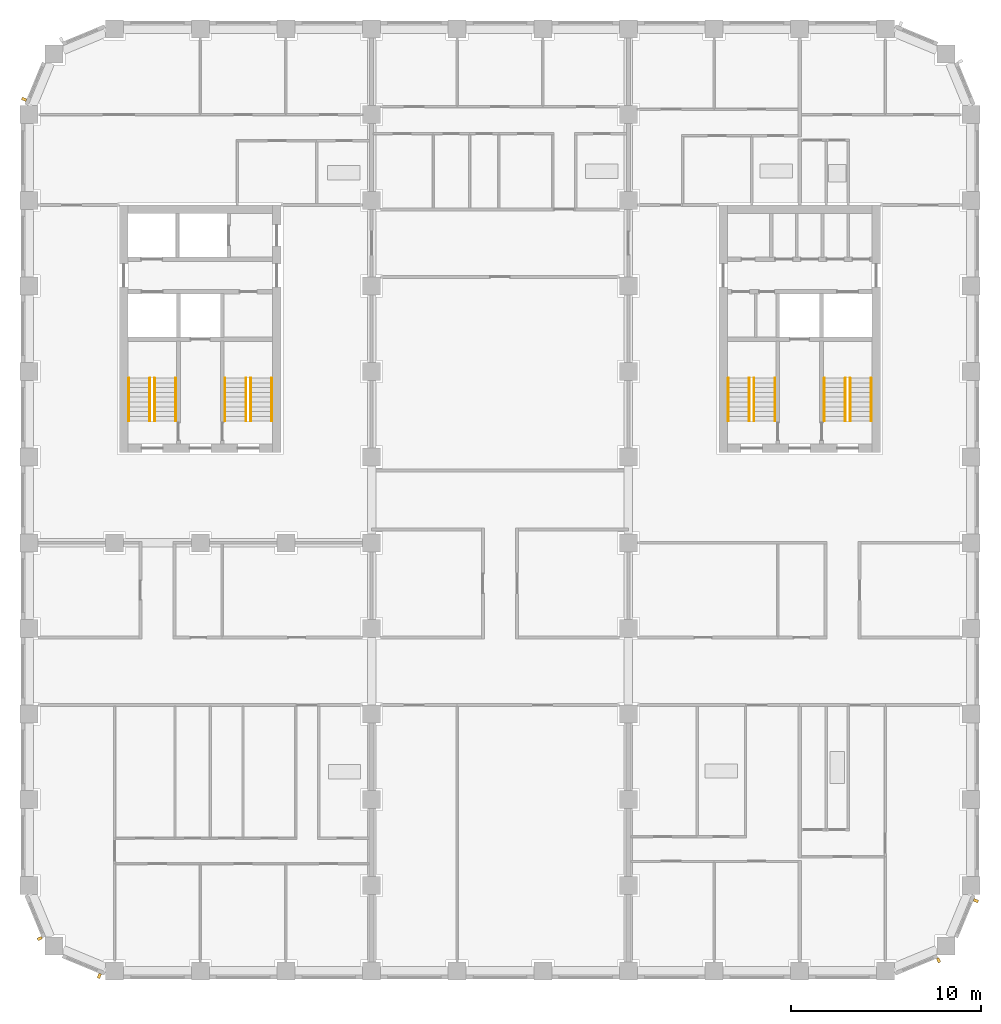
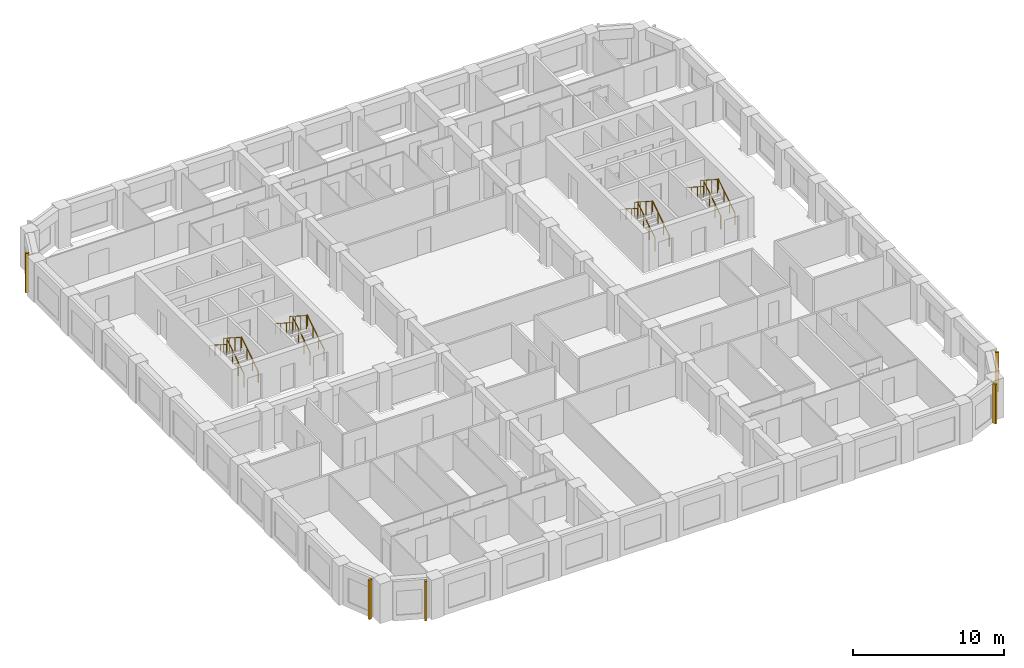
# One storey, part 11 of 13: 16 railings, 5 shading devices.
"""IFC4 building model written with IfcOpenShell, lengths in metres."""

import ifcopenshell
import ifcopenshell.guid

model = None  # the IFC model being written
_history = None  # IfcOwnerHistory: only IFC2X3 demands one
_inside = {}  # id of a spatial element -> (the spatial element, [elements in it])
_under = {}  # id of a project, library or spatial element -> (it, [spatial elements below it])
_declared = {}  # id of a project -> (the project, [libraries it declares])
_typed = {}  # id of a type object -> (the type object, [elements of that type])
_made_of = {}  # id of a material, layer set ... -> (it, [elements and type objects made of it])


def new_model(schema):
    """Start an empty IFC model of exactly this schema.

    Asked for "IFC4X3", IfcOpenShell would pick the latest addendum, in which some entities
    have other attributes; the version numbers below select the first issue.
    IFC2X3 requires an IfcOwnerHistory on every rooted entity: one is made here for all.
    """
    global model, _history
    if schema == "IFC4X3":
        model = ifcopenshell.file(schema_version=(4, 3, 0, 0))
    else:
        model = ifcopenshell.file(schema=schema)
    _inside.clear()
    _under.clear()
    _declared.clear()
    _typed.clear()
    _made_of.clear()
    _history = None
    if model.schema == "IFC2X3":
        org = make("IfcOrganization", Name="unknown")
        user = make(
            "IfcPersonAndOrganization",
            ThePerson=make("IfcPerson", FamilyName="unknown"),
            TheOrganization=org,
        )
        app = make(
            "IfcApplication",
            ApplicationDeveloper=org,
            Version="unknown",
            ApplicationFullName="unknown",
            ApplicationIdentifier="unknown",
        )
        _history = make(
            "IfcOwnerHistory",
            OwningUser=user,
            OwningApplication=app,
            ChangeAction="ADDED",
            CreationDate=0,
        )
    return model


def make(cls, **values):
    """One entity of the class cls with the attributes given. An attribute that is None is left unset."""
    return model.create_entity(
        cls, **{name: value for name, value in values.items() if value is not None}
    )


def rooted(cls, **values):
    """An entity with a GlobalId (a new one), such as an element, a storey or a relation."""
    return make(cls, GlobalId=ifcopenshell.guid.new(), OwnerHistory=_history, **values)


def si_unit(unit_type, name, prefix=None):
    """IfcSIUnit, for example si_unit("LENGTHUNIT", "METRE", prefix="MILLI")."""
    return make("IfcSIUnit", UnitType=unit_type, Prefix=prefix, Name=name)


def assignment(units):
    """IfcUnitAssignment: the units of a project."""
    return None if units is None else make("IfcUnitAssignment", Units=units)


def point(xyz):
    """IfcCartesianPoint."""
    return None if xyz is None else make("IfcCartesianPoint", Coordinates=xyz)


def direction(xyz):
    """IfcDirection."""
    return None if xyz is None else make("IfcDirection", DirectionRatios=xyz)


def frame(location, z_axis=None, x_axis=None):
    """IfcAxis2Placement3D, a coordinate frame: its origin and axes. An axis left out is left unset."""
    return make(
        "IfcAxis2Placement3D",
        Location=point(location),
        Axis=direction(z_axis),
        RefDirection=direction(x_axis),
    )


def frame_2d(location, x_axis=None):
    """IfcAxis2Placement2D, a coordinate frame in the plane: its origin and x axis."""
    return make(
        "IfcAxis2Placement2D", Location=point(location), RefDirection=direction(x_axis)
    )


def origin():
    """The frame at (0, 0, 0) with its axes left unset."""
    return frame((0.0, 0.0, 0.0))


def origin_2d():
    """The frame at (0, 0) in the plane with its x axis left unset."""
    return frame_2d((0.0, 0.0))


def place(relative_to, where):
    """IfcLocalPlacement: puts the frame where relative to a parent placement (None: the world)."""
    return make(
        "IfcLocalPlacement", PlacementRelTo=relative_to, RelativePlacement=where
    )


def context(
    kind, dimensions, precision=None, world=None, true_north=None, identifier=None
):
    """IfcGeometricRepresentationContext, for example the 3D "Model" context."""
    return make(
        "IfcGeometricRepresentationContext",
        ContextIdentifier=identifier,
        ContextType=kind,
        CoordinateSpaceDimension=dimensions,
        Precision=precision,
        WorldCoordinateSystem=world,
        TrueNorth=true_north,
    )


def subcontext(parent, identifier, kind, view, scale=None):
    """IfcGeometricRepresentationSubContext, for example "Body" below "Model"."""
    return make(
        "IfcGeometricRepresentationSubContext",
        ContextIdentifier=identifier,
        ContextType=kind,
        ParentContext=parent,
        TargetScale=scale,
        TargetView=view,
    )


def project(units=None, contexts=None):
    """IfcProject with its units and contexts."""
    return rooted(
        "IfcProject",
        Name="project",
        RepresentationContexts=contexts,
        UnitsInContext=assignment(units),
    )


def spatial(cls, under=None, at=None, **own):
    """A site, building, storey or space (cls), placed at a placement, below another one or the project."""
    s = rooted(cls, ObjectPlacement=at, **own)
    if under is not None:
        _under.setdefault(under.id(), (under, []))[1].append(s)
    return s


def profile(cls, at=None, kind="AREA", **sizes):
    """A parametric profile (cls). Its sizes go by their IFC names, for example OverallWidth=200.0."""
    return make(cls, ProfileType=kind, Position=at, **sizes)


def rectangle(**sizes):
    """IfcRectangleProfileDef."""
    return profile("IfcRectangleProfileDef", **sizes)


def circle(**sizes):
    """IfcCircleProfileDef."""
    return profile("IfcCircleProfileDef", **sizes)


def extrude(swept, where, along, depth):
    """IfcExtrudedAreaSolid: the profile swept, set in the frame where, extruded along a direction by depth."""
    return make(
        "IfcExtrudedAreaSolid",
        SweptArea=swept,
        Position=where,
        ExtrudedDirection=direction(along),
        Depth=depth,
    )


def shape(context_of_items, identifier, shape_type, items):
    """IfcShapeRepresentation: the items that make up one representation, for example the "Body"."""
    return make(
        "IfcShapeRepresentation",
        ContextOfItems=context_of_items,
        RepresentationIdentifier=identifier,
        RepresentationType=shape_type,
        Items=items,
    )


def material(Name=None, Category=None):
    """IfcMaterial."""
    return make("IfcMaterial", Name=Name, Category=Category)


def made_of(thing, what):
    """Note that an element or type object is made of a material, layer set ...; save() writes the relation."""
    if what is not None:
        _made_of.setdefault(what.id(), (what, []))[1].append(thing)
    return thing


def type_object(cls, material=None, **own):
    """A type object (cls), such as IfcWallType, which elements share."""
    return made_of(rooted(cls, **own), material)


def element(
    cls,
    number,
    at=None,
    inside=None,
    cuts=None,
    type_object=None,
    material=None,
    context=None,
    identifier="Body",
    shape_type=None,
    held_by="IfcProductDefinitionShape",
    body=None,
    shapes=None,
    **own,
):
    """One element of the class cls, such as IfcWall. Its Tag is "e" and its number.

    at: its placement. inside: the storey or other place that contains it. cuts: it is an
    opening in that element (IfcRelVoidsElement). A single representation is given by context,
    identifier, shape_type and body (its items); several are given by shapes. held_by: the class
    of the entity that holds the representations. save() writes the other relations.
    """
    e = rooted(cls, Tag="e%d" % number, ObjectPlacement=at, **own)
    if body is not None:
        shapes = [shape(context, identifier, shape_type, body)]
    if shapes is not None:
        e.Representation = make(held_by, Representations=shapes)
    if inside is not None:
        _inside.setdefault(inside.id(), (inside, []))[1].append(e)
    if cuts is not None:
        rooted(
            "IfcRelVoidsElement", RelatingBuildingElement=cuts, RelatedOpeningElement=e
        )
    if type_object is not None:
        _typed.setdefault(type_object.id(), (type_object, []))[1].append(e)
    return made_of(e, material)


def aggregate(whole, parts):
    """IfcRelAggregates: a whole, such as a stair, and the parts it consists of."""
    return rooted("IfcRelAggregates", RelatingObject=whole, RelatedObjects=parts)


def save(model, path):
    """Write the relations noted so far, then the file.

    IfcRelAggregates (storeys below a building ...), IfcRelContainedInSpatialStructure (elements
    in a storey), IfcRelDefinesByType, IfcRelAssociatesMaterial and IfcRelDeclares: one each for
    every whole, place, type object, material and project.
    """
    for whole, parts in _under.values():
        aggregate(whole, parts)
    for where, things in _inside.values():
        rooted(
            "IfcRelContainedInSpatialStructure",
            RelatedElements=things,
            RelatingStructure=where,
        )
    for kind, things in _typed.values():
        rooted("IfcRelDefinesByType", RelatedObjects=things, RelatingType=kind)
    for what, things in _made_of.values():
        rooted("IfcRelAssociatesMaterial", RelatedObjects=things, RelatingMaterial=what)
    for by, libraries in _declared.values():
        rooted("IfcRelDeclares", RelatingContext=by, RelatedDefinitions=libraries)
    model.write(path)


model = new_model("IFC4")

# Units and contexts
model_context = context("Model", 3, precision=1e-05, world=origin(), true_north=direction((0.0, 1.0)))
body_context = subcontext(model_context, "Body", "Model", "MODEL_VIEW")
ifc_project = project(units=[si_unit("LENGTHUNIT", "METRE"), si_unit("AREAUNIT", "SQUARE_METRE"), si_unit("VOLUMEUNIT", "CUBIC_METRE"), si_unit("PLANEANGLEUNIT", "RADIAN"), si_unit("MASSUNIT", "GRAM", prefix="KILO")], contexts=[model_context])

# Site, building, storey
site_placement = place(None, origin())
site = spatial("IfcSite", under=ifc_project, at=site_placement, CompositionType="ELEMENT")
building_placement = place(site_placement, origin())
building = spatial("IfcBuilding", under=site, at=building_placement, Name="Girih Gate Residences", CompositionType="ELEMENT")
storey_placement = place(building_placement, frame((0.0, 0.0, 130.199951171875)))
storey = spatial("IfcBuildingStorey", under=building, at=storey_placement, Name="L36", CompositionType="ELEMENT", Elevation=130.199951171875)

# Shading devices
ifc_material_1 = material(Name="Precast concrete C50/60", Category="concrete")
shading_device_type = type_object("IfcShadingDeviceType", Name="Corner rib 150x250", PredefinedType="USERDEFINED", material=ifc_material_1)
for number, where, z_axis, x_axis, name in (
    (1, (0.562255859375, 1.705322265625, 0.0), (0.0, 0.0, 1.0), (0.382683432365, -0.923879532511, 0.0), "Corner rib SW0000_0045.0"),
    (2, (3.691650390625, -0.260498046875, 0.0), (0.0, 0.0, 1.0), (0.923879532511, -0.382683432365, 0.0), "Corner rib SW0013_0013.0"),
    (3, (47.794677734375, 0.562255859375, 0.0), (0.0, 0.0, 1.0), (0.923879532511, 0.382683432365, 0.0), "Corner rib SE0450_0000.0"),
    (4, (49.760498046875, 3.691650390625, 0.0), (0.0, 0.0, 1.0), (0.382683432365, 0.923879532511, 0.0), "Corner rib SE0482_0013.0"),
    (5, (-0.260498046875, 45.808349609375, 0.0), (0.0, 0.0, 1.0), (-0.382683432365, -0.923879532511, 0.0), "Corner rib NW0013_0482.0"),
):
    element("IfcShadingDevice", number, at=place(storey_placement, frame(where, z_axis=z_axis, x_axis=x_axis)), inside=storey, type_object=shading_device_type, Name=name, ObjectType="FIN", PredefinedType="USERDEFINED", context=body_context, shape_type="SweptSolid", body=[
        extrude(rectangle(XDim=0.14990234375, YDim=0.25, at=origin_2d()), origin(), (0.0, 0.0, 1.0), 3.199951171875),
    ])

# Railings
ifc_material_2 = material(Name="Stainless steel", Category="steel")
railing_type_1 = type_object("IfcRailingType", Name="Stair guard 1100", PredefinedType="GUARDRAIL", material=ifc_material_2)
railing_1_placement = place(storey_placement, frame((6.60009765625, 28.89990234375, 0.16015625)))
element("IfcRailing", 6, at=railing_1_placement, inside=storey, type_object=railing_type_1, Name="L36 ST-W1 stair guard 1", PredefinedType="GUARDRAIL", context=body_context, shape_type="SweptSolid", body=[
    extrude(circle(Radius=0.02392578125, at=origin_2d()), frame((0.0, 0.0, 1.076171875), z_axis=(0.0, 0.842281359387, 0.539038135598), x_axis=(-1.0, 0.0, 0.0)), (0.0, 0.0, 1.0), 2.67138671875),
    extrude(circle(Radius=0.02099609375, at=origin_2d()), origin(), (0.0, 0.0, 1.0), 1.052001953125),
    extrude(circle(Radius=0.02099609375, at=origin_2d()), frame((0.0, 0.75, 0.47998046875)), (0.0, 0.0, 1.0), 1.052001953125),
    extrude(circle(Radius=0.02099609375, at=origin_2d()), frame((0.0, 1.5, 0.9599609375)), (0.0, 0.0, 1.0), 1.052001953125),
    extrude(circle(Radius=0.02099609375, at=origin_2d()), frame((0.0, 2.25, 1.43994140625)), (0.0, 0.0, 1.0), 1.052001953125),
])
railing_2_placement = place(storey_placement, frame((6.35009765625, 31.14990234375, 1.760009765625)))
element("IfcRailing", 7, at=railing_2_placement, inside=storey, type_object=railing_type_1, Name="L36 ST-W1 stair guard 2", PredefinedType="GUARDRAIL", context=body_context, shape_type="SweptSolid", body=[
    extrude(circle(Radius=0.02392578125, at=origin_2d()), frame((0.0, 0.0, 1.076171875), z_axis=(0.0, -0.842281359387, 0.539038135598), x_axis=(1.0, 0.0, 0.0)), (0.0, 0.0, 1.0), 2.67138671875),
    extrude(circle(Radius=0.02099609375, at=origin_2d()), origin(), (0.0, 0.0, 1.0), 1.052001953125),
    extrude(circle(Radius=0.02099609375, at=origin_2d()), frame((0.0, -0.75, 0.47998046875)), (0.0, 0.0, 1.0), 1.052001953125),
    extrude(circle(Radius=0.02099609375, at=origin_2d()), frame((0.0, -1.5, 0.9599609375)), (0.0, 0.0, 1.0), 1.052001953125),
    extrude(circle(Radius=0.02099609375, at=origin_2d()), frame((0.0, -2.25, 1.43994140625)), (0.0, 0.0, 1.0), 1.052001953125),
])
railing_3_placement = place(storey_placement, frame((11.64990234375, 28.89990234375, 0.16015625)))
element("IfcRailing", 8, at=railing_3_placement, inside=storey, type_object=railing_type_1, Name="L36 ST-W2 stair guard 1", PredefinedType="GUARDRAIL", context=body_context, shape_type="SweptSolid", body=[
    extrude(circle(Radius=0.02392578125, at=origin_2d()), frame((0.0, 0.0, 1.076171875), z_axis=(0.0, 0.842281359387, 0.539038135598), x_axis=(-1.0, 0.0, 0.0)), (0.0, 0.0, 1.0), 2.67138671875),
    extrude(circle(Radius=0.02099609375, at=origin_2d()), origin(), (0.0, 0.0, 1.0), 1.052001953125),
    extrude(circle(Radius=0.02099609375, at=origin_2d()), frame((0.0, 0.75, 0.47998046875)), (0.0, 0.0, 1.0), 1.052001953125),
    extrude(circle(Radius=0.02099609375, at=origin_2d()), frame((0.0, 1.5, 0.9599609375)), (0.0, 0.0, 1.0), 1.052001953125),
    extrude(circle(Radius=0.02099609375, at=origin_2d()), frame((0.0, 2.25, 1.43994140625)), (0.0, 0.0, 1.0), 1.052001953125),
])
railing_4_placement = place(storey_placement, frame((11.39990234375, 31.14990234375, 1.760009765625)))
element("IfcRailing", 9, at=railing_4_placement, inside=storey, type_object=railing_type_1, Name="L36 ST-W2 stair guard 2", PredefinedType="GUARDRAIL", context=body_context, shape_type="SweptSolid", body=[
    extrude(circle(Radius=0.02392578125, at=origin_2d()), frame((0.0, 0.0, 1.076171875), z_axis=(0.0, -0.842281359387, 0.539038135598), x_axis=(1.0, 0.0, 0.0)), (0.0, 0.0, 1.0), 2.67138671875),
    extrude(circle(Radius=0.02099609375, at=origin_2d()), origin(), (0.0, 0.0, 1.0), 1.052001953125),
    extrude(circle(Radius=0.02099609375, at=origin_2d()), frame((0.0, -0.75, 0.47998046875)), (0.0, 0.0, 1.0), 1.052001953125),
    extrude(circle(Radius=0.02099609375, at=origin_2d()), frame((0.0, -1.5, 0.9599609375)), (0.0, 0.0, 1.0), 1.052001953125),
    extrude(circle(Radius=0.02099609375, at=origin_2d()), frame((0.0, -2.25, 1.43994140625)), (0.0, 0.0, 1.0), 1.052001953125),
])
railing_5_placement = place(storey_placement, frame((43.14990234375, 28.89990234375, 0.16015625)))
element("IfcRailing", 10, at=railing_5_placement, inside=storey, type_object=railing_type_1, Name="L36 ST-E1 stair guard 1", PredefinedType="GUARDRAIL", context=body_context, shape_type="SweptSolid", body=[
    extrude(circle(Radius=0.02392578125, at=origin_2d()), frame((0.0, 0.0, 1.076171875), z_axis=(0.0, 0.842281359387, 0.539038135598), x_axis=(-1.0, 0.0, 0.0)), (0.0, 0.0, 1.0), 2.67138671875),
    extrude(circle(Radius=0.02099609375, at=origin_2d()), origin(), (0.0, 0.0, 1.0), 1.052001953125),
    extrude(circle(Radius=0.02099609375, at=origin_2d()), frame((0.0, 0.75, 0.47998046875)), (0.0, 0.0, 1.0), 1.052001953125),
    extrude(circle(Radius=0.02099609375, at=origin_2d()), frame((0.0, 1.5, 0.9599609375)), (0.0, 0.0, 1.0), 1.052001953125),
    extrude(circle(Radius=0.02099609375, at=origin_2d()), frame((0.0, 2.25, 1.43994140625)), (0.0, 0.0, 1.0), 1.052001953125),
])
railing_6_placement = place(storey_placement, frame((42.89990234375, 31.14990234375, 1.760009765625)))
element("IfcRailing", 11, at=railing_6_placement, inside=storey, type_object=railing_type_1, Name="L36 ST-E1 stair guard 2", PredefinedType="GUARDRAIL", context=body_context, shape_type="SweptSolid", body=[
    extrude(circle(Radius=0.02392578125, at=origin_2d()), frame((0.0, 0.0, 1.076171875), z_axis=(0.0, -0.842281359387, 0.539038135598), x_axis=(1.0, 0.0, 0.0)), (0.0, 0.0, 1.0), 2.67138671875),
    extrude(circle(Radius=0.02099609375, at=origin_2d()), origin(), (0.0, 0.0, 1.0), 1.052001953125),
    extrude(circle(Radius=0.02099609375, at=origin_2d()), frame((0.0, -0.75, 0.47998046875)), (0.0, 0.0, 1.0), 1.052001953125),
    extrude(circle(Radius=0.02099609375, at=origin_2d()), frame((0.0, -1.5, 0.9599609375)), (0.0, 0.0, 1.0), 1.052001953125),
    extrude(circle(Radius=0.02099609375, at=origin_2d()), frame((0.0, -2.25, 1.43994140625)), (0.0, 0.0, 1.0), 1.052001953125),
])
railing_7_placement = place(storey_placement, frame((38.10009765625, 28.89990234375, 0.16015625)))
element("IfcRailing", 12, at=railing_7_placement, inside=storey, type_object=railing_type_1, Name="L36 ST-E2 stair guard 1", PredefinedType="GUARDRAIL", context=body_context, shape_type="SweptSolid", body=[
    extrude(circle(Radius=0.02392578125, at=origin_2d()), frame((0.0, 0.0, 1.076171875), z_axis=(0.0, 0.842281359387, 0.539038135598), x_axis=(-1.0, 0.0, 0.0)), (0.0, 0.0, 1.0), 2.67138671875),
    extrude(circle(Radius=0.02099609375, at=origin_2d()), origin(), (0.0, 0.0, 1.0), 1.052001953125),
    extrude(circle(Radius=0.02099609375, at=origin_2d()), frame((0.0, 0.75, 0.47998046875)), (0.0, 0.0, 1.0), 1.052001953125),
    extrude(circle(Radius=0.02099609375, at=origin_2d()), frame((0.0, 1.5, 0.9599609375)), (0.0, 0.0, 1.0), 1.052001953125),
    extrude(circle(Radius=0.02099609375, at=origin_2d()), frame((0.0, 2.25, 1.43994140625)), (0.0, 0.0, 1.0), 1.052001953125),
])
railing_8_placement = place(storey_placement, frame((37.85009765625, 31.14990234375, 1.760009765625)))
element("IfcRailing", 13, at=railing_8_placement, inside=storey, type_object=railing_type_1, Name="L36 ST-E2 stair guard 2", PredefinedType="GUARDRAIL", context=body_context, shape_type="SweptSolid", body=[
    extrude(circle(Radius=0.02392578125, at=origin_2d()), frame((0.0, 0.0, 1.076171875), z_axis=(0.0, -0.842281359387, 0.539038135598), x_axis=(1.0, 0.0, 0.0)), (0.0, 0.0, 1.0), 2.67138671875),
    extrude(circle(Radius=0.02099609375, at=origin_2d()), origin(), (0.0, 0.0, 1.0), 1.052001953125),
    extrude(circle(Radius=0.02099609375, at=origin_2d()), frame((0.0, -0.75, 0.47998046875)), (0.0, 0.0, 1.0), 1.052001953125),
    extrude(circle(Radius=0.02099609375, at=origin_2d()), frame((0.0, -1.5, 0.9599609375)), (0.0, 0.0, 1.0), 1.052001953125),
    extrude(circle(Radius=0.02099609375, at=origin_2d()), frame((0.0, -2.25, 1.43994140625)), (0.0, 0.0, 1.0), 1.052001953125),
])
railing_type_2 = type_object("IfcRailingType", Name="Stair handrail 900", PredefinedType="HANDRAIL", material=ifc_material_2)
railing_9_placement = place(storey_placement, frame((7.699951171875, 28.89990234375, 0.16015625)))
element("IfcRailing", 14, at=railing_9_placement, inside=storey, type_object=railing_type_2, Name="L36 ST-W1 stair handrail 1", PredefinedType="HANDRAIL", context=body_context, shape_type="SweptSolid", body=[
    extrude(circle(Radius=0.02392578125, at=origin_2d()), frame((0.0, 0.0, 0.8857421875), z_axis=(0.0, 0.842281359387, 0.539038135598), x_axis=(-1.0, 0.0, 0.0)), (0.0, 0.0, 1.0), 2.67138671875),
    extrude(circle(Radius=0.02099609375, at=origin_2d()), origin(), (0.0, 0.0, 1.0), 0.86181640625),
    extrude(circle(Radius=0.02099609375, at=origin_2d()), frame((0.0, 0.75, 0.47998046875)), (0.0, 0.0, 1.0), 0.86181640625),
    extrude(circle(Radius=0.02099609375, at=origin_2d()), frame((0.0, 1.5, 0.9599609375)), (0.0, 0.0, 1.0), 0.86181640625),
    extrude(circle(Radius=0.02099609375, at=origin_2d()), frame((0.0, 2.25, 1.43994140625)), (0.0, 0.0, 1.0), 0.86181640625),
])
railing_10_placement = place(storey_placement, frame((5.25, 31.14990234375, 1.760009765625)))
element("IfcRailing", 15, at=railing_10_placement, inside=storey, type_object=railing_type_2, Name="L36 ST-W1 stair handrail 2", PredefinedType="HANDRAIL", context=body_context, shape_type="SweptSolid", body=[
    extrude(circle(Radius=0.02392578125, at=origin_2d()), frame((0.0, 0.0, 0.8857421875), z_axis=(0.0, -0.842281359387, 0.539038135598), x_axis=(1.0, 0.0, 0.0)), (0.0, 0.0, 1.0), 2.67138671875),
    extrude(circle(Radius=0.02099609375, at=origin_2d()), origin(), (0.0, 0.0, 1.0), 0.86181640625),
    extrude(circle(Radius=0.02099609375, at=origin_2d()), frame((0.0, -0.75, 0.47998046875)), (0.0, 0.0, 1.0), 0.86181640625),
    extrude(circle(Radius=0.02099609375, at=origin_2d()), frame((0.0, -1.5, 0.9599609375)), (0.0, 0.0, 1.0), 0.86181640625),
    extrude(circle(Radius=0.02099609375, at=origin_2d()), frame((0.0, -2.25, 1.43994140625)), (0.0, 0.0, 1.0), 0.86181640625),
])
railing_11_placement = place(storey_placement, frame((12.75, 28.89990234375, 0.16015625)))
element("IfcRailing", 16, at=railing_11_placement, inside=storey, type_object=railing_type_2, Name="L36 ST-W2 stair handrail 1", PredefinedType="HANDRAIL", context=body_context, shape_type="SweptSolid", body=[
    extrude(circle(Radius=0.02392578125, at=origin_2d()), frame((0.0, 0.0, 0.8857421875), z_axis=(0.0, 0.842281359387, 0.539038135598), x_axis=(-1.0, 0.0, 0.0)), (0.0, 0.0, 1.0), 2.67138671875),
    extrude(circle(Radius=0.02099609375, at=origin_2d()), origin(), (0.0, 0.0, 1.0), 0.86181640625),
    extrude(circle(Radius=0.02099609375, at=origin_2d()), frame((0.0, 0.75, 0.47998046875)), (0.0, 0.0, 1.0), 0.86181640625),
    extrude(circle(Radius=0.02099609375, at=origin_2d()), frame((0.0, 1.5, 0.9599609375)), (0.0, 0.0, 1.0), 0.86181640625),
    extrude(circle(Radius=0.02099609375, at=origin_2d()), frame((0.0, 2.25, 1.43994140625)), (0.0, 0.0, 1.0), 0.86181640625),
])
railing_12_placement = place(storey_placement, frame((10.300048828125, 31.14990234375, 1.760009765625)))
element("IfcRailing", 17, at=railing_12_placement, inside=storey, type_object=railing_type_2, Name="L36 ST-W2 stair handrail 2", PredefinedType="HANDRAIL", context=body_context, shape_type="SweptSolid", body=[
    extrude(circle(Radius=0.02392578125, at=origin_2d()), frame((0.0, 0.0, 0.8857421875), z_axis=(0.0, -0.842281359387, 0.539038135598), x_axis=(1.0, 0.0, 0.0)), (0.0, 0.0, 1.0), 2.67138671875),
    extrude(circle(Radius=0.02099609375, at=origin_2d()), origin(), (0.0, 0.0, 1.0), 0.86181640625),
    extrude(circle(Radius=0.02099609375, at=origin_2d()), frame((0.0, -0.75, 0.47998046875)), (0.0, 0.0, 1.0), 0.86181640625),
    extrude(circle(Radius=0.02099609375, at=origin_2d()), frame((0.0, -1.5, 0.9599609375)), (0.0, 0.0, 1.0), 0.86181640625),
    extrude(circle(Radius=0.02099609375, at=origin_2d()), frame((0.0, -2.25, 1.43994140625)), (0.0, 0.0, 1.0), 0.86181640625),
])
railing_13_placement = place(storey_placement, frame((44.25, 28.89990234375, 0.16015625)))
element("IfcRailing", 18, at=railing_13_placement, inside=storey, type_object=railing_type_2, Name="L36 ST-E1 stair handrail 1", PredefinedType="HANDRAIL", context=body_context, shape_type="SweptSolid", body=[
    extrude(circle(Radius=0.02392578125, at=origin_2d()), frame((0.0, 0.0, 0.8857421875), z_axis=(0.0, 0.842281359387, 0.539038135598), x_axis=(-1.0, 0.0, 0.0)), (0.0, 0.0, 1.0), 2.67138671875),
    extrude(circle(Radius=0.02099609375, at=origin_2d()), origin(), (0.0, 0.0, 1.0), 0.86181640625),
    extrude(circle(Radius=0.02099609375, at=origin_2d()), frame((0.0, 0.75, 0.47998046875)), (0.0, 0.0, 1.0), 0.86181640625),
    extrude(circle(Radius=0.02099609375, at=origin_2d()), frame((0.0, 1.5, 0.9599609375)), (0.0, 0.0, 1.0), 0.86181640625),
    extrude(circle(Radius=0.02099609375, at=origin_2d()), frame((0.0, 2.25, 1.43994140625)), (0.0, 0.0, 1.0), 0.86181640625),
])
railing_14_placement = place(storey_placement, frame((41.800048828125, 31.14990234375, 1.760009765625)))
element("IfcRailing", 19, at=railing_14_placement, inside=storey, type_object=railing_type_2, Name="L36 ST-E1 stair handrail 2", PredefinedType="HANDRAIL", context=body_context, shape_type="SweptSolid", body=[
    extrude(circle(Radius=0.02392578125, at=origin_2d()), frame((0.0, 0.0, 0.8857421875), z_axis=(0.0, -0.842281359387, 0.539038135598), x_axis=(1.0, 0.0, 0.0)), (0.0, 0.0, 1.0), 2.67138671875),
    extrude(circle(Radius=0.02099609375, at=origin_2d()), origin(), (0.0, 0.0, 1.0), 0.86181640625),
    extrude(circle(Radius=0.02099609375, at=origin_2d()), frame((0.0, -0.75, 0.47998046875)), (0.0, 0.0, 1.0), 0.86181640625),
    extrude(circle(Radius=0.02099609375, at=origin_2d()), frame((0.0, -1.5, 0.9599609375)), (0.0, 0.0, 1.0), 0.86181640625),
    extrude(circle(Radius=0.02099609375, at=origin_2d()), frame((0.0, -2.25, 1.43994140625)), (0.0, 0.0, 1.0), 0.86181640625),
])
railing_15_placement = place(storey_placement, frame((39.199951171875, 28.89990234375, 0.16015625)))
element("IfcRailing", 20, at=railing_15_placement, inside=storey, type_object=railing_type_2, Name="L36 ST-E2 stair handrail 1", PredefinedType="HANDRAIL", context=body_context, shape_type="SweptSolid", body=[
    extrude(circle(Radius=0.02392578125, at=origin_2d()), frame((0.0, 0.0, 0.8857421875), z_axis=(0.0, 0.842281359387, 0.539038135598), x_axis=(-1.0, 0.0, 0.0)), (0.0, 0.0, 1.0), 2.67138671875),
    extrude(circle(Radius=0.02099609375, at=origin_2d()), origin(), (0.0, 0.0, 1.0), 0.86181640625),
    extrude(circle(Radius=0.02099609375, at=origin_2d()), frame((0.0, 0.75, 0.47998046875)), (0.0, 0.0, 1.0), 0.86181640625),
    extrude(circle(Radius=0.02099609375, at=origin_2d()), frame((0.0, 1.5, 0.9599609375)), (0.0, 0.0, 1.0), 0.86181640625),
    extrude(circle(Radius=0.02099609375, at=origin_2d()), frame((0.0, 2.25, 1.43994140625)), (0.0, 0.0, 1.0), 0.86181640625),
])
railing_16_placement = place(storey_placement, frame((36.75, 31.14990234375, 1.760009765625)))
element("IfcRailing", 21, at=railing_16_placement, inside=storey, type_object=railing_type_2, Name="L36 ST-E2 stair handrail 2", PredefinedType="HANDRAIL", context=body_context, shape_type="SweptSolid", body=[
    extrude(circle(Radius=0.02392578125, at=origin_2d()), frame((0.0, 0.0, 0.8857421875), z_axis=(0.0, -0.842281359387, 0.539038135598), x_axis=(1.0, 0.0, 0.0)), (0.0, 0.0, 1.0), 2.67138671875),
    extrude(circle(Radius=0.02099609375, at=origin_2d()), origin(), (0.0, 0.0, 1.0), 0.86181640625),
    extrude(circle(Radius=0.02099609375, at=origin_2d()), frame((0.0, -0.75, 0.47998046875)), (0.0, 0.0, 1.0), 0.86181640625),
    extrude(circle(Radius=0.02099609375, at=origin_2d()), frame((0.0, -1.5, 0.9599609375)), (0.0, 0.0, 1.0), 0.86181640625),
    extrude(circle(Radius=0.02099609375, at=origin_2d()), frame((0.0, -2.25, 1.43994140625)), (0.0, 0.0, 1.0), 0.86181640625),
])

save(model, "model.ifc")
